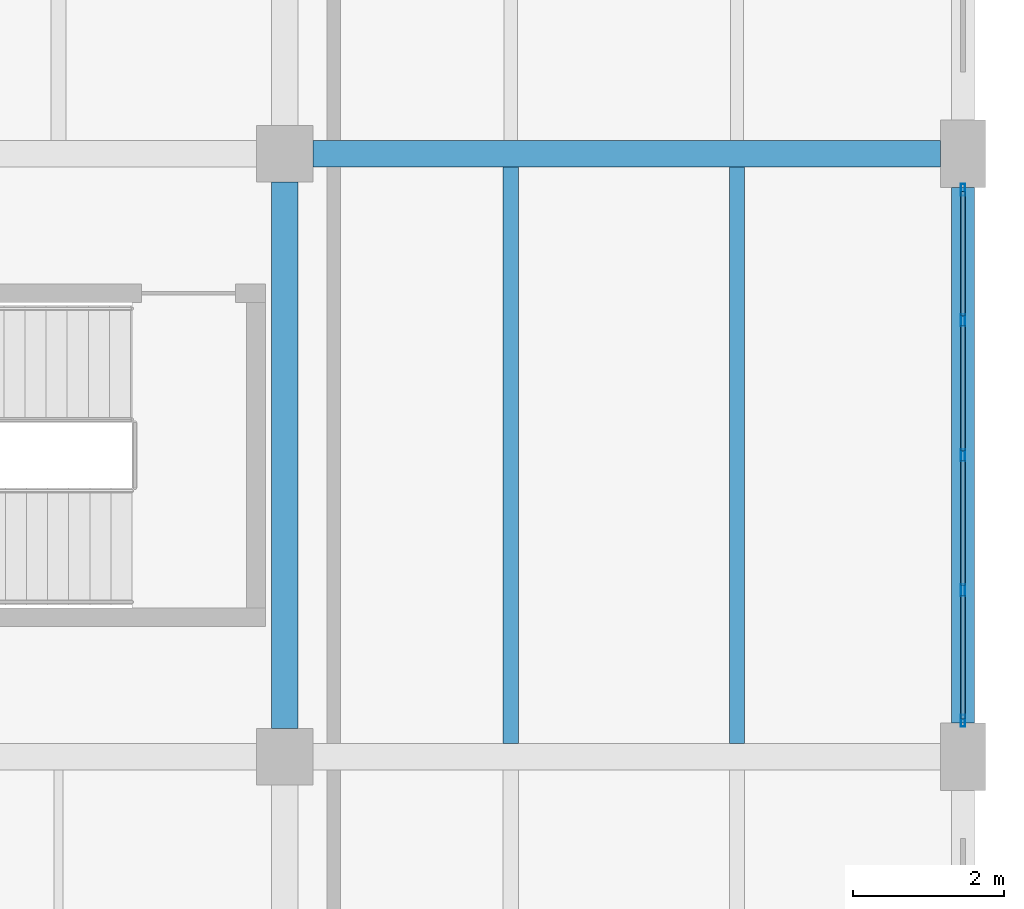
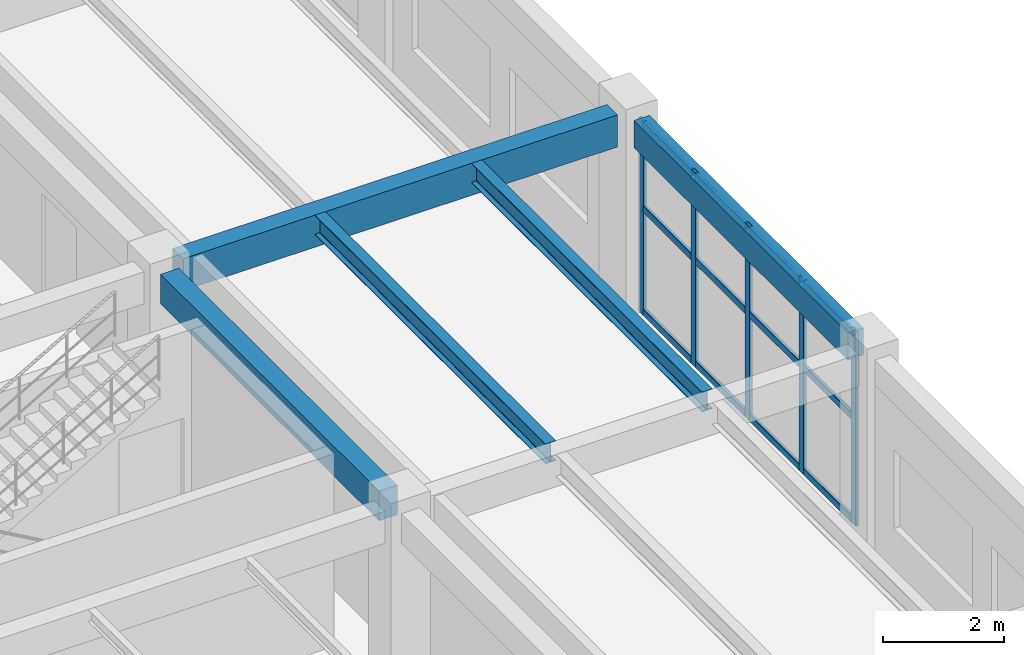
# One storey, part 75 of 128: 17 members, 5 beams, 1 element without a shape of its own.
"""IFC4 building model written with IfcOpenShell, lengths in metres."""

from ifc_helpers import new_model, si_unit, derived_unit, direction, frame, origin, origin_2d, place, context, subcontext, project, spatial, rectangle, hollow_rectangle, i_section, extrude, material, material_profile, profile_set, type_object, element, aggregate, save


model = new_model("IFC4")

# Units and contexts
model_context = context("Model", 3, precision=1e-05, world=origin(), true_north=direction((0.0, 1.0)))
body_context = subcontext(model_context, "Body", "Model", "MODEL_VIEW")
ifc_project = project(units=[si_unit("LENGTHUNIT", "METRE"), si_unit("AREAUNIT", "SQUARE_METRE"), si_unit("VOLUMEUNIT", "CUBIC_METRE"), si_unit("PLANEANGLEUNIT", "RADIAN"), si_unit("MASSUNIT", "GRAM", prefix="KILO"), derived_unit("THERMALTRANSMITTANCEUNIT", [(si_unit("MASSUNIT", "GRAM", prefix="KILO"), 1), (si_unit("TIMEUNIT", "SECOND"), -3), (si_unit("THERMODYNAMICTEMPERATUREUNIT", "KELVIN"), -1)])], contexts=[model_context])

# Site, building, storey
site_placement = place(None, origin())
site = spatial("IfcSite", under=ifc_project, at=site_placement, CompositionType="ELEMENT")
building_placement = place(site_placement, origin())
building = spatial("IfcBuilding", under=site, at=building_placement, Name="Zhenchuan Archway Interchange", CompositionType="ELEMENT")
storey_placement = place(building_placement, frame((0.0, 0.0, 14.39990234375)))
storey = spatial("IfcBuildingStorey", under=building, at=storey_placement, Name="L03", CompositionType="ELEMENT", Elevation=14.39990234375)

# Beams
ifc_material_1 = material(Name="Concrete C40", Category="concrete")
ifc_material_profile_1 = material_profile(ifc_material_1, rectangle(XDim=0.35009765625, YDim=0.60009765625, at=origin_2d()), Name="RC 350x600")
ifc_profile_set_1 = profile_set([ifc_material_profile_1], Name="Concrete C40")
beam_type_1 = type_object("IfcBeamType", Name="BM_RC_350x600", PredefinedType="BEAM", material=ifc_profile_set_1)
beam_1_placement = place(storey_placement, frame((162.0, 16.375, 3.630126953125), z_axis=(0.0, 1.0, 0.0), x_axis=(-1.0, 0.0, 0.0)))
element("IfcBeam", 1, at=beam_1_placement, inside=storey, type_object=beam_type_1, Name="Beam 19:C-D (L03)", PredefinedType="BEAM", context=body_context, shape_type="SweptSolid", body=[
    extrude(rectangle(XDim=0.35009765625, YDim=0.60009765625, at=origin_2d()), origin(), (0.0, 0.0, 1.0), 7.25),
])
ifc_material_profile_2 = material_profile(ifc_material_1, rectangle(XDim=0.35009765625, YDim=0.64990234375, at=origin_2d()), Name="RC 350x650")
ifc_profile_set_2 = profile_set([ifc_material_profile_2], Name="Concrete C40")
beam_type_2 = type_object("IfcBeamType", Name="BM_RC_350x650", PredefinedType="BEAM", material=ifc_profile_set_2)
beam_2_placement = place(storey_placement, frame((162.375, 24.0, 3.60498046875), z_axis=(1.0, 0.0, 0.0), x_axis=(0.0, 1.0, 0.0)))
element("IfcBeam", 2, at=beam_2_placement, inside=storey, type_object=beam_type_2, Name="Beam D:19-20 (L03)", PredefinedType="BEAM", context=body_context, shape_type="SweptSolid", body=[
    extrude(rectangle(XDim=0.35009765625, YDim=0.64990234375, at=origin_2d()), origin(), (0.0, 0.0, 1.0), 8.324951171875),
])

# Curtain wall, members
ifc_material_2 = material(Name="Anodised Aluminium", Category="aluminium")
curtain_wall_type = type_object("IfcCurtainWallType", Name="CW_UNIT_3", PredefinedType="NOTDEFINED", material=ifc_material_2)
curtain_wall_placement = place(storey_placement, origin())
curtain_wall = element("IfcCurtainWall", 3, at=curtain_wall_placement, inside=storey, type_object=curtain_wall_type, Name="Unitised curtain wall CW:L03:182", PredefinedType="NOTDEFINED")
ifc_material_profile_3 = material_profile(ifc_material_2, hollow_rectangle(XDim=0.06005859375, YDim=0.159912109375, WallThickness=0.00390625, InnerFilletRadius=0.00390625, OuterFilletRadius=0.008056640625, at=origin_2d()), Name="ALU 160x60x4")
ifc_profile_set_3 = profile_set([ifc_material_profile_3], Name="Anodised Aluminium")
member_type_1 = type_object("IfcMemberType", Name="CW_MUL_150", PredefinedType="MULLION", material=ifc_profile_set_3)
member_1_placement = place(storey_placement, frame((171.0, 23.52197265625, 0.0), z_axis=(0.0, 0.0, 1.0), x_axis=(1.0, 0.0, 0.0)))
member_1 = element("IfcMember", 4, at=member_1_placement, type_object=member_type_1, Name="CW:L03:182 mullion 0", PredefinedType="MULLION", context=body_context, shape_type="SweptSolid", body=[
    extrude(hollow_rectangle(XDim=0.06005859375, YDim=0.159912109375, WallThickness=0.00390625, InnerFilletRadius=0.00390625, OuterFilletRadius=0.008056640625, at=origin_2d()), origin(), (0.0, 0.0, 1.0), 3.93017578125),
])
member_2_placement = place(storey_placement, frame((171.0, 21.791015625, 0.0), z_axis=(0.0, 0.0, 1.0), x_axis=(1.0, 0.0, 0.0)))
member_2 = element("IfcMember", 5, at=member_2_placement, type_object=member_type_1, Name="CW:L03:182 mullion 1", PredefinedType="MULLION", context=body_context, shape_type="SweptSolid", body=[
    extrude(hollow_rectangle(XDim=0.06005859375, YDim=0.159912109375, WallThickness=0.00390625, InnerFilletRadius=0.00390625, OuterFilletRadius=0.008056640625, at=origin_2d()), origin(), (0.0, 0.0, 1.0), 3.93017578125),
])
member_3_placement = place(storey_placement, frame((171.0, 20.0, 0.0), z_axis=(0.0, 0.0, 1.0), x_axis=(1.0, 0.0, 0.0)))
member_3 = element("IfcMember", 6, at=member_3_placement, type_object=member_type_1, Name="CW:L03:182 mullion 2", PredefinedType="MULLION", context=body_context, shape_type="SweptSolid", body=[
    extrude(hollow_rectangle(XDim=0.06005859375, YDim=0.159912109375, WallThickness=0.00390625, InnerFilletRadius=0.00390625, OuterFilletRadius=0.008056640625, at=origin_2d()), origin(), (0.0, 0.0, 1.0), 3.93017578125),
])
member_4_placement = place(storey_placement, frame((171.0, 18.208984375, 0.0), z_axis=(0.0, 0.0, 1.0), x_axis=(1.0, 0.0, 0.0)))
member_4 = element("IfcMember", 7, at=member_4_placement, type_object=member_type_1, Name="CW:L03:182 mullion 3", PredefinedType="MULLION", context=body_context, shape_type="SweptSolid", body=[
    extrude(hollow_rectangle(XDim=0.06005859375, YDim=0.159912109375, WallThickness=0.00390625, InnerFilletRadius=0.00390625, OuterFilletRadius=0.008056640625, at=origin_2d()), origin(), (0.0, 0.0, 1.0), 3.93017578125),
])
member_5_placement = place(storey_placement, frame((171.0, 16.47802734375, 0.0), z_axis=(0.0, 0.0, 1.0), x_axis=(1.0, 0.0, 0.0)))
member_5 = element("IfcMember", 8, at=member_5_placement, type_object=member_type_1, Name="CW:L03:182 mullion 4", PredefinedType="MULLION", context=body_context, shape_type="SweptSolid", body=[
    extrude(hollow_rectangle(XDim=0.06005859375, YDim=0.159912109375, WallThickness=0.00390625, InnerFilletRadius=0.00390625, OuterFilletRadius=0.008056640625, at=origin_2d()), origin(), (0.0, 0.0, 1.0), 3.93017578125),
])
ifc_material_profile_4 = material_profile(ifc_material_2, hollow_rectangle(XDim=0.06005859375, YDim=0.139892578125, WallThickness=0.00341796875, InnerFilletRadius=0.00341796875, OuterFilletRadius=0.007080078125, at=origin_2d()), Name="ALU 140x60x3.5")
ifc_profile_set_4 = profile_set([ifc_material_profile_4], Name="Anodised Aluminium")
member_type_2 = type_object("IfcMemberType", Name="CW_TRN_140", PredefinedType="USERDEFINED", material=ifc_profile_set_4)
member_6_placement = place(storey_placement, frame((171.0, 23.501953125, 0.06005859375), z_axis=(0.0, -1.0, 0.0), x_axis=(1.0, 0.0, 0.0)))
member_6 = element("IfcMember", 9, at=member_6_placement, type_object=member_type_2, Name="CW:L03:182 transom 0-1", ObjectType="TRANSOM", PredefinedType="USERDEFINED", context=body_context, shape_type="SweptSolid", body=[
    extrude(hollow_rectangle(XDim=0.06005859375, YDim=0.139892578125, WallThickness=0.00341796875, InnerFilletRadius=0.00341796875, OuterFilletRadius=0.007080078125, at=origin_2d()), origin(), (0.0, 0.0, 1.0), 1.65087890625),
])
member_7_placement = place(storey_placement, frame((171.0, 23.501953125, 2.150634765625), z_axis=(0.0, -1.0, 0.0), x_axis=(1.0, 0.0, 0.0)))
member_7 = element("IfcMember", 10, at=member_7_placement, type_object=member_type_2, Name="CW:L03:182 transom 0-2", ObjectType="TRANSOM", PredefinedType="USERDEFINED", context=body_context, shape_type="SweptSolid", body=[
    extrude(hollow_rectangle(XDim=0.06005859375, YDim=0.139892578125, WallThickness=0.00341796875, InnerFilletRadius=0.00341796875, OuterFilletRadius=0.007080078125, at=origin_2d()), origin(), (0.0, 0.0, 1.0), 1.65087890625),
])
member_8_placement = place(storey_placement, frame((171.0, 23.501953125, 3.85009765625), z_axis=(0.0, -1.0, 0.0), x_axis=(1.0, 0.0, 0.0)))
member_8 = element("IfcMember", 11, at=member_8_placement, type_object=member_type_2, Name="CW:L03:182 transom 0-3", ObjectType="TRANSOM", PredefinedType="USERDEFINED", context=body_context, shape_type="SweptSolid", body=[
    extrude(hollow_rectangle(XDim=0.06005859375, YDim=0.139892578125, WallThickness=0.00341796875, InnerFilletRadius=0.00341796875, OuterFilletRadius=0.007080078125, at=origin_2d()), origin(), (0.0, 0.0, 1.0), 1.65087890625),
])
member_9_placement = place(storey_placement, frame((171.0, 21.73095703125, 0.06005859375), z_axis=(0.0, -1.0, 0.0), x_axis=(1.0, 0.0, 0.0)))
member_9 = element("IfcMember", 12, at=member_9_placement, type_object=member_type_2, Name="CW:L03:182 transom 1-1", ObjectType="TRANSOM", PredefinedType="USERDEFINED", context=body_context, shape_type="SweptSolid", body=[
    extrude(hollow_rectangle(XDim=0.06005859375, YDim=0.139892578125, WallThickness=0.00341796875, InnerFilletRadius=0.00341796875, OuterFilletRadius=0.007080078125, at=origin_2d()), origin(), (0.0, 0.0, 1.0), 1.6708984375),
])
member_10_placement = place(storey_placement, frame((171.0, 21.73095703125, 2.150634765625), z_axis=(0.0, -1.0, 0.0), x_axis=(1.0, 0.0, 0.0)))
member_10 = element("IfcMember", 13, at=member_10_placement, type_object=member_type_2, Name="CW:L03:182 transom 1-2", ObjectType="TRANSOM", PredefinedType="USERDEFINED", context=body_context, shape_type="SweptSolid", body=[
    extrude(hollow_rectangle(XDim=0.06005859375, YDim=0.139892578125, WallThickness=0.00341796875, InnerFilletRadius=0.00341796875, OuterFilletRadius=0.007080078125, at=origin_2d()), origin(), (0.0, 0.0, 1.0), 1.6708984375),
])
member_11_placement = place(storey_placement, frame((171.0, 21.73095703125, 3.85009765625), z_axis=(0.0, -1.0, 0.0), x_axis=(1.0, 0.0, 0.0)))
member_11 = element("IfcMember", 14, at=member_11_placement, type_object=member_type_2, Name="CW:L03:182 transom 1-3", ObjectType="TRANSOM", PredefinedType="USERDEFINED", context=body_context, shape_type="SweptSolid", body=[
    extrude(hollow_rectangle(XDim=0.06005859375, YDim=0.139892578125, WallThickness=0.00341796875, InnerFilletRadius=0.00341796875, OuterFilletRadius=0.007080078125, at=origin_2d()), origin(), (0.0, 0.0, 1.0), 1.6708984375),
])
member_12_placement = place(storey_placement, frame((171.0, 19.93994140625, 0.06005859375), z_axis=(0.0, -1.0, 0.0), x_axis=(1.0, 0.0, 0.0)))
member_12 = element("IfcMember", 15, at=member_12_placement, type_object=member_type_2, Name="CW:L03:182 transom 2-1", ObjectType="TRANSOM", PredefinedType="USERDEFINED", context=body_context, shape_type="SweptSolid", body=[
    extrude(hollow_rectangle(XDim=0.06005859375, YDim=0.139892578125, WallThickness=0.00341796875, InnerFilletRadius=0.00341796875, OuterFilletRadius=0.007080078125, at=origin_2d()), origin(), (0.0, 0.0, 1.0), 1.6708984375),
])
member_13_placement = place(storey_placement, frame((171.0, 19.93994140625, 2.150634765625), z_axis=(0.0, -1.0, 0.0), x_axis=(1.0, 0.0, 0.0)))
member_13 = element("IfcMember", 16, at=member_13_placement, type_object=member_type_2, Name="CW:L03:182 transom 2-2", ObjectType="TRANSOM", PredefinedType="USERDEFINED", context=body_context, shape_type="SweptSolid", body=[
    extrude(hollow_rectangle(XDim=0.06005859375, YDim=0.139892578125, WallThickness=0.00341796875, InnerFilletRadius=0.00341796875, OuterFilletRadius=0.007080078125, at=origin_2d()), origin(), (0.0, 0.0, 1.0), 1.6708984375),
])
member_14_placement = place(storey_placement, frame((171.0, 19.93994140625, 3.85009765625), z_axis=(0.0, -1.0, 0.0), x_axis=(1.0, 0.0, 0.0)))
member_14 = element("IfcMember", 17, at=member_14_placement, type_object=member_type_2, Name="CW:L03:182 transom 2-3", ObjectType="TRANSOM", PredefinedType="USERDEFINED", context=body_context, shape_type="SweptSolid", body=[
    extrude(hollow_rectangle(XDim=0.06005859375, YDim=0.139892578125, WallThickness=0.00341796875, InnerFilletRadius=0.00341796875, OuterFilletRadius=0.007080078125, at=origin_2d()), origin(), (0.0, 0.0, 1.0), 1.6708984375),
])
member_15_placement = place(storey_placement, frame((171.0, 18.14892578125, 0.06005859375), z_axis=(0.0, -1.0, 0.0), x_axis=(1.0, 0.0, 0.0)))
member_15 = element("IfcMember", 18, at=member_15_placement, type_object=member_type_2, Name="CW:L03:182 transom 3-1", ObjectType="TRANSOM", PredefinedType="USERDEFINED", context=body_context, shape_type="SweptSolid", body=[
    extrude(hollow_rectangle(XDim=0.06005859375, YDim=0.139892578125, WallThickness=0.00341796875, InnerFilletRadius=0.00341796875, OuterFilletRadius=0.007080078125, at=origin_2d()), origin(), (0.0, 0.0, 1.0), 1.65087890625),
])
member_16_placement = place(storey_placement, frame((171.0, 18.14892578125, 2.150634765625), z_axis=(0.0, -1.0, 0.0), x_axis=(1.0, 0.0, 0.0)))
member_16 = element("IfcMember", 19, at=member_16_placement, type_object=member_type_2, Name="CW:L03:182 transom 3-2", ObjectType="TRANSOM", PredefinedType="USERDEFINED", context=body_context, shape_type="SweptSolid", body=[
    extrude(hollow_rectangle(XDim=0.06005859375, YDim=0.139892578125, WallThickness=0.00341796875, InnerFilletRadius=0.00341796875, OuterFilletRadius=0.007080078125, at=origin_2d()), origin(), (0.0, 0.0, 1.0), 1.65087890625),
])
member_17_placement = place(storey_placement, frame((171.0, 18.14892578125, 3.85009765625), z_axis=(0.0, -1.0, 0.0), x_axis=(1.0, 0.0, 0.0)))
member_17 = element("IfcMember", 20, at=member_17_placement, type_object=member_type_2, Name="CW:L03:182 transom 3-3", ObjectType="TRANSOM", PredefinedType="USERDEFINED", context=body_context, shape_type="SweptSolid", body=[
    extrude(hollow_rectangle(XDim=0.06005859375, YDim=0.139892578125, WallThickness=0.00341796875, InnerFilletRadius=0.00341796875, OuterFilletRadius=0.007080078125, at=origin_2d()), origin(), (0.0, 0.0, 1.0), 1.65087890625),
])
aggregate(curtain_wall, [member_1, member_2, member_3, member_4, member_5, member_6, member_7, member_8, member_9, member_10, member_11, member_12, member_13, member_14, member_15, member_16, member_17])

# Beams
ifc_material_3 = material(Name="Steel Q355", Category="steel")
ifc_material_profile_5 = material_profile(ifc_material_3, i_section(OverallWidth=0.199951171875, OverallDepth=0.39990234375, WebThickness=0.008056640625, FlangeThickness=0.012939453125, FilletRadius=0.01611328125, at=origin_2d()), Name="HN 400x200")
ifc_profile_set_5 = profile_set([ifc_material_profile_5], Name="Steel Q355")
beam_type_3 = type_object("IfcBeamType", Name="JST_STL_HN400", PredefinedType="JOIST", material=ifc_profile_set_5)
for number, where, z_axis, x_axis, name in (
    (21, (165.0, 16.175048828125, 3.72998046875), (0.0, 1.0, 0.0), (-1.0, 0.0, 0.0), "Secondary joist 19-20/C-D #1 (L03)"),
    (22, (168.0, 16.175048828125, 3.72998046875), (0.0, 1.0, 0.0), (-1.0, 0.0, 0.0), "Secondary joist 19-20/C-D #2 (L03)"),
):
    element("IfcBeam", number, at=place(storey_placement, frame(where, z_axis=z_axis, x_axis=x_axis)), inside=storey, type_object=beam_type_3, Name=name, PredefinedType="JOIST", context=body_context, shape_type="SweptSolid", body=[
        extrude(i_section(OverallWidth=0.199951171875, OverallDepth=0.39990234375, WebThickness=0.008056640625, FlangeThickness=0.012939453125, FilletRadius=0.01611328125, at=origin_2d()), origin(), (0.0, 0.0, 1.0), 7.64990234375),
    ])
ifc_material_profile_6 = material_profile(ifc_material_1, rectangle(XDim=0.300048828125, YDim=0.550048828125, at=origin_2d()), Name="RC 300x550")
ifc_profile_set_6 = profile_set([ifc_material_profile_6], Name="Concrete C40")
beam_type_4 = type_object("IfcBeamType", Name="SP_RC_300x550", PredefinedType="SPANDREL", material=ifc_profile_set_6)
beam_3_placement = place(storey_placement, frame((171.0, 16.449951171875, 3.655029296875), z_axis=(0.0, 1.0, 0.0), x_axis=(-1.0, 0.0, 0.0)))
element("IfcBeam", 23, at=beam_3_placement, inside=storey, type_object=beam_type_4, Name="Beam 20:C-D (L03)", PredefinedType="SPANDREL", context=body_context, shape_type="SweptSolid", body=[
    extrude(rectangle(XDim=0.300048828125, YDim=0.550048828125, at=origin_2d()), origin(), (0.0, 0.0, 1.0), 7.10009765625),
])

save(model, "model.ifc")
